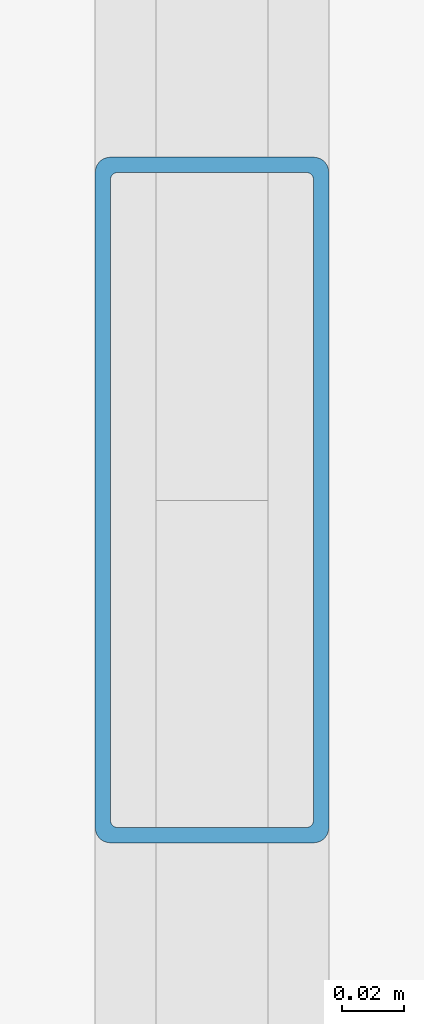
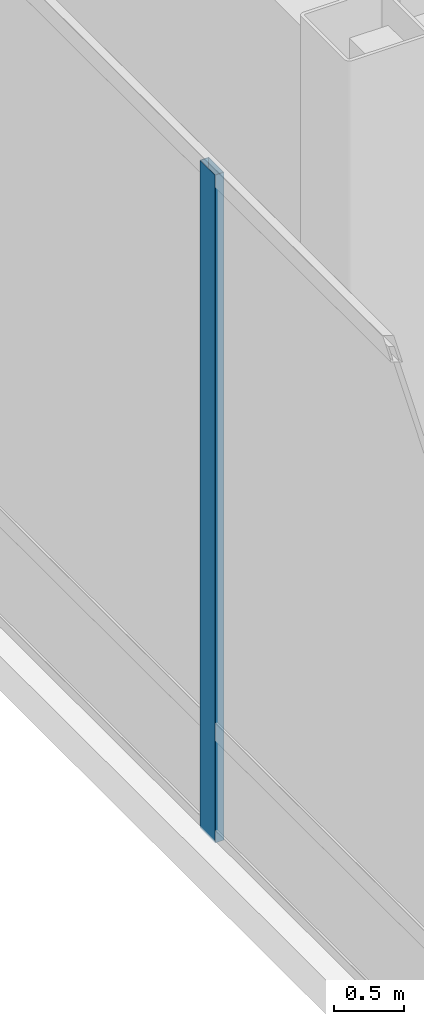
# One storey, part 4 of 19: 1 member, 1 element without a shape of its own.
"""IFC4 building model written with IfcOpenShell, lengths in metres."""

from ifc_helpers import new_model, si_unit, direction, frame, origin, origin_2d, place, context, subcontext, project, spatial, hollow_rectangle, extrude, material, material_profile, profile_set, type_object, element, aggregate, save


model = new_model("IFC4")

# Units and contexts
model_context = context("Model", 3, precision=1e-05, world=origin(), true_north=direction((0.0, 1.0)))
body_context = subcontext(model_context, "Body", "Model", "MODEL_VIEW")
ifc_project = project(units=[si_unit("LENGTHUNIT", "METRE"), si_unit("AREAUNIT", "SQUARE_METRE"), si_unit("VOLUMEUNIT", "CUBIC_METRE"), si_unit("PLANEANGLEUNIT", "RADIAN"), si_unit("MASSUNIT", "GRAM", prefix="KILO")], contexts=[model_context])

# Site, building, storey
site_placement = place(None, origin())
site = spatial("IfcSite", under=ifc_project, at=site_placement, CompositionType="ELEMENT")
building_placement = place(site_placement, origin())
building = spatial("IfcBuilding", under=site, at=building_placement, Name="Noeulbin Bourse Tower", CompositionType="ELEMENT")
storey_placement = place(building_placement, frame((0.0, 0.0, 306.0)))
storey = spatial("IfcBuildingStorey", under=building, at=storey_placement, Name="L76", CompositionType="ELEMENT", Elevation=306.0)

# Curtain wall, member
ifc_material_1 = material(Name="Translucent Ceramic-Fritted Glass", Category="glass")
curtain_wall_type = type_object("IfcCurtainWallType", Name="CW-SYS-5", PredefinedType="NOTDEFINED", material=ifc_material_1)
curtain_wall_placement = place(storey_placement, origin())
curtain_wall = element("IfcCurtainWall", 1, at=curtain_wall_placement, inside=storey, type_object=curtain_wall_type, Name="Unitised Curtain Wall CW-L76-W", PredefinedType="NOTDEFINED")
ifc_material_2 = material(Name="Anodised Aluminium 6063-T6", Category="aluminium")
ifc_material_profile = material_profile(ifc_material_2, hollow_rectangle(XDim=0.074951171875, YDim=0.219970703125, WallThickness=0.0048828125, InnerFilletRadius=0.00244140625, OuterFilletRadius=0.0048828125, at=origin_2d()), Name="ALU-MULL-75x220x5", Category="LoadBearing")
ifc_profile_set = profile_set([ifc_material_profile], Name="Anodised Aluminium 6063-T6")
member_type = type_object("IfcMemberType", Name="CW-SYS-5-MUL", PredefinedType="MULLION", material=ifc_profile_set)
member_placement = place(storey_placement, frame((12.219970703125, 28.97607421875, -0.02001953125), z_axis=(0.0, 0.0, 1.0), x_axis=(1.0, 0.0, 0.0)))
member = element("IfcMember", 2, at=member_placement, type_object=member_type, Name="Curtain Wall Mullion CW-L76-W-M02", PredefinedType="MULLION", context=body_context, shape_type="SweptSolid", body=[
    extrude(hollow_rectangle(XDim=0.074951171875, YDim=0.219970703125, WallThickness=0.0048828125, InnerFilletRadius=0.00244140625, OuterFilletRadius=0.0048828125, at=origin_2d()), origin(), (0.0, 0.0, 1.0), 5.840087890625),
])
aggregate(curtain_wall, [member])

save(model, "model.ifc")
